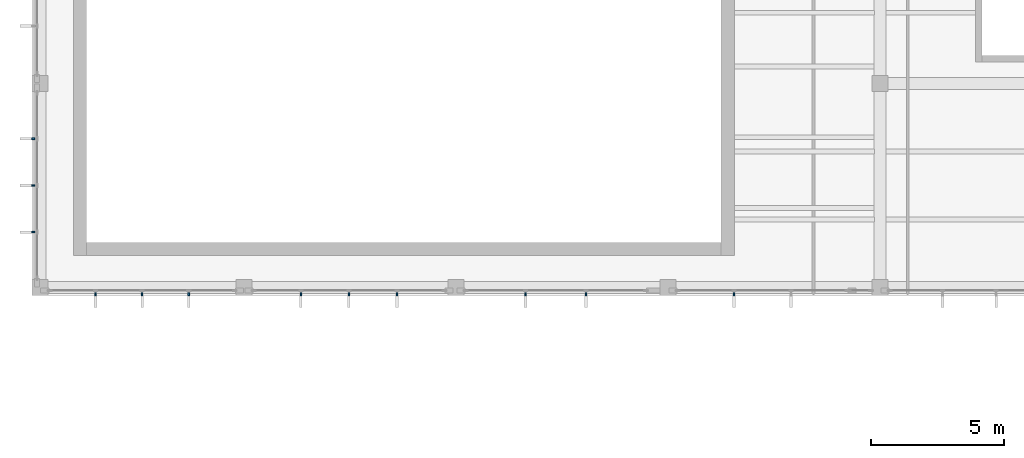
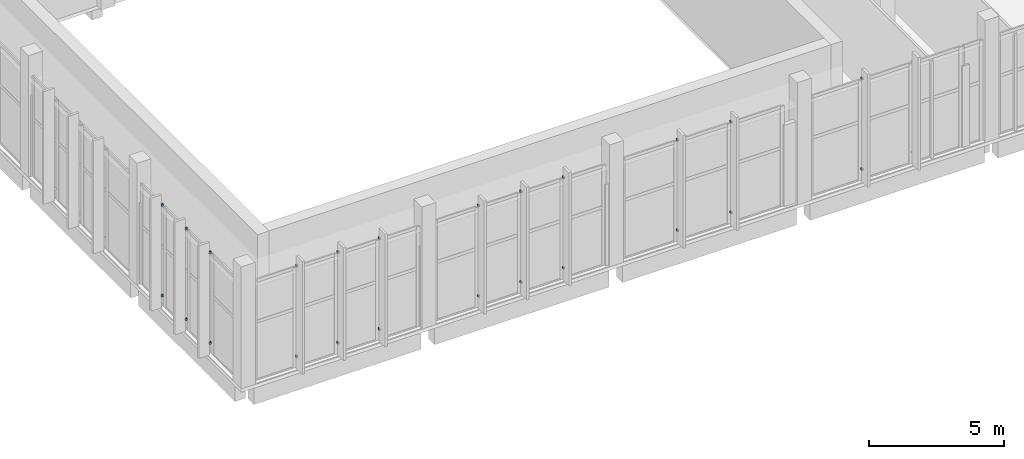
# One storey, part 70 of 112: 24 discrete accessories.
"""IFC4 building model written with IfcOpenShell, lengths in metres."""

from ifc_helpers import new_model, si_unit, direction, frame, origin, origin_2d, place, context, subcontext, project, spatial, rectangle, extrude, material, type_object, element, save


model = new_model("IFC4")

# Units and contexts
model_context = context("Model", 3, precision=1e-05, world=origin(), true_north=direction((0.0, 1.0)))
body_context = subcontext(model_context, "Body", "Model", "MODEL_VIEW")
ifc_project = project(units=[si_unit("LENGTHUNIT", "METRE"), si_unit("AREAUNIT", "SQUARE_METRE"), si_unit("VOLUMEUNIT", "CUBIC_METRE"), si_unit("PLANEANGLEUNIT", "RADIAN"), si_unit("MASSUNIT", "GRAM", prefix="KILO")], contexts=[model_context])

# Site, building, storey
site_placement = place(None, origin())
site = spatial("IfcSite", under=ifc_project, at=site_placement, CompositionType="ELEMENT")
building_placement = place(site_placement, origin())
building = spatial("IfcBuilding", under=site, at=building_placement, Name="Lunette Opera House", CompositionType="ELEMENT")
storey_placement = place(building_placement, frame((0.0, 0.0, 6.0)))
storey = spatial("IfcBuildingStorey", under=building, at=storey_placement, Name="L01", CompositionType="ELEMENT", Elevation=6.0)

# Discrete accessories
ifc_material = material(Name="Galvanised steel", Category="steel")
discrete_accessory_type = type_object("IfcDiscreteAccessoryType", Name="FIN BRACKET STEEL", PredefinedType="BRACKET", material=ifc_material)
for number, where, z_axis, x_axis, name in (
    (1, (8.0419921875, 69.909912109375, 0.56494140625), (0.0, 0.0, 1.0), (-1.0, 0.0, 0.0), "Fin bracket RW-X2020 1 1"),
    (2, (8.0419921875, 69.909912109375, 4.64990234375), (0.0, 0.0, 1.0), (-1.0, 0.0, 0.0), "Fin bracket RW-X2020 1 2"),
    (3, (8.0419921875, 68.14990234375, 0.56494140625), (0.0, 0.0, 1.0), (-1.0, 0.0, 0.0), "Fin bracket RW-X2020 2 1"),
    (4, (8.0419921875, 68.14990234375, 4.64990234375), (0.0, 0.0, 1.0), (-1.0, 0.0, 0.0), "Fin bracket RW-X2020 2 2"),
    (5, (8.0419921875, 66.389892578125, 0.56494140625), (0.0, 0.0, 1.0), (-1.0, 0.0, 0.0), "Fin bracket RW-X2020 3 1"),
    (6, (8.0419921875, 66.389892578125, 4.64990234375), (0.0, 0.0, 1.0), (-1.0, 0.0, 0.0), "Fin bracket RW-X2020 3 2"),
    (7, (10.389892578125, 64.04296875, 0.56494140625), (0.0, 0.0, 1.0), (0.0, -1.0, 0.0), "Fin bracket RW-X2021 1 1"),
    (8, (10.389892578125, 64.04296875, 4.64990234375), (0.0, 0.0, 1.0), (0.0, -1.0, 0.0), "Fin bracket RW-X2021 1 2"),
    (9, (12.14990234375, 64.04296875, 0.56494140625), (0.0, 0.0, 1.0), (0.0, -1.0, 0.0), "Fin bracket RW-X2021 2 1"),
    (10, (12.14990234375, 64.04296875, 4.64990234375), (0.0, 0.0, 1.0), (0.0, -1.0, 0.0), "Fin bracket RW-X2021 2 2"),
    (11, (13.909912109375, 64.04296875, 0.56494140625), (0.0, 0.0, 1.0), (0.0, -1.0, 0.0), "Fin bracket RW-X2021 3 1"),
    (12, (13.909912109375, 64.04296875, 4.64990234375), (0.0, 0.0, 1.0), (0.0, -1.0, 0.0), "Fin bracket RW-X2021 3 2"),
    (13, (18.14208984375, 64.04296875, 0.56494140625), (0.0, 0.0, 1.0), (0.0, -1.0, 0.0), "Fin bracket RW-X2022 1 1"),
    (14, (18.14208984375, 64.04296875, 4.64990234375), (0.0, 0.0, 1.0), (0.0, -1.0, 0.0), "Fin bracket RW-X2022 1 2"),
    (15, (19.952880859375, 64.04296875, 0.56494140625), (0.0, 0.0, 1.0), (0.0, -1.0, 0.0), "Fin bracket RW-X2022 2 1"),
    (16, (19.952880859375, 64.04296875, 4.64990234375), (0.0, 0.0, 1.0), (0.0, -1.0, 0.0), "Fin bracket RW-X2022 2 2"),
    (17, (21.764892578125, 64.04296875, 0.56494140625), (0.0, 0.0, 1.0), (0.0, -1.0, 0.0), "Fin bracket RW-X2022 3 1"),
    (18, (21.764892578125, 64.04296875, 4.64990234375), (0.0, 0.0, 1.0), (0.0, -1.0, 0.0), "Fin bracket RW-X2022 3 2"),
    (19, (26.614013671875, 64.04296875, 0.56494140625), (0.0, 0.0, 1.0), (0.0, -1.0, 0.0), "Fin bracket RW-X2023 1 1"),
    (20, (26.614013671875, 64.04296875, 4.64990234375), (0.0, 0.0, 1.0), (0.0, -1.0, 0.0), "Fin bracket RW-X2023 1 2"),
    (21, (28.89892578125, 64.04296875, 0.56494140625), (0.0, 0.0, 1.0), (0.0, -1.0, 0.0), "Fin bracket RW-X2023 2 1"),
    (22, (28.89892578125, 64.04296875, 4.64990234375), (0.0, 0.0, 1.0), (0.0, -1.0, 0.0), "Fin bracket RW-X2023 2 2"),
    (23, (34.48291015625, 64.04296875, 0.56494140625), (0.0, 0.0, 1.0), (0.0, -1.0, 0.0), "Fin bracket RW-X2024 1 1"),
    (24, (34.48291015625, 64.04296875, 4.64990234375), (0.0, 0.0, 1.0), (0.0, -1.0, 0.0), "Fin bracket RW-X2024 1 2"),
):
    element("IfcDiscreteAccessory", number, at=place(storey_placement, frame(where, z_axis=z_axis, x_axis=x_axis)), inside=storey, type_object=discrete_accessory_type, Name=name, PredefinedType="BRACKET", context=body_context, shape_type="SweptSolid", body=[
        extrude(rectangle(XDim=0.10009765625, YDim=0.06005859375, at=origin_2d()), origin(), (0.0, 0.0, 1.0), 0.10009765625),
    ])

save(model, "model.ifc")
